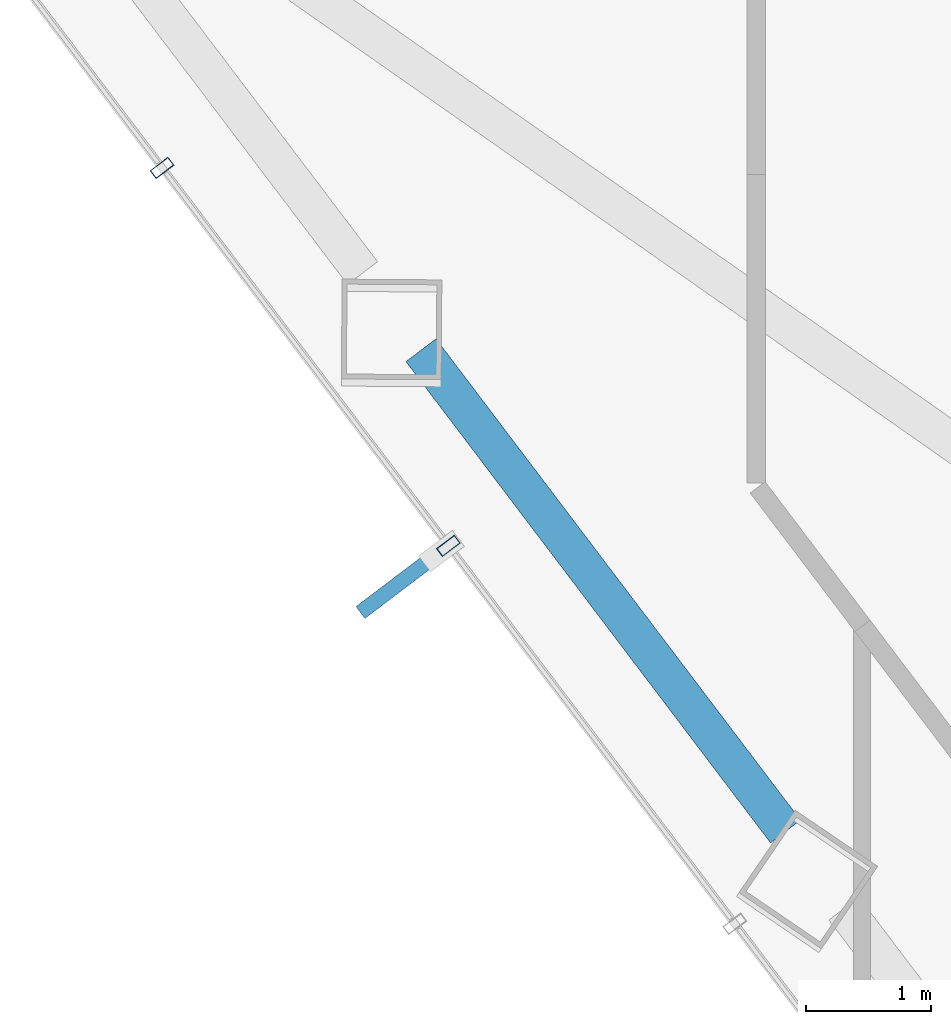
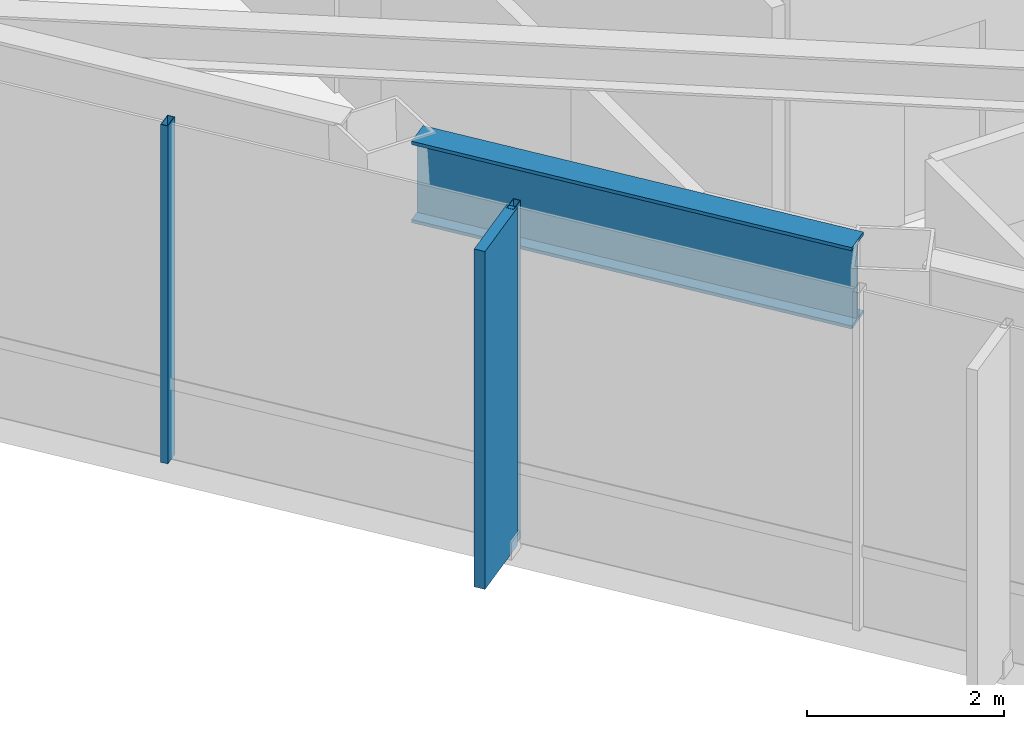
# One storey, part 4 of 25: 3 members, 1 beam, 1 element without a shape of its own.
"""IFC4 building model written with IfcOpenShell, lengths in metres."""

from ifc_helpers import new_model, si_unit, direction, frame, origin, origin_2d, place, context, subcontext, project, spatial, rectangle, hollow_rectangle, i_section, extrude, material, layer, layer_set, material_profile, profile_set, type_object, element, aggregate, save


model = new_model("IFC4")

# Units and contexts
model_context = context("Model", 3, precision=1e-05, world=origin(), true_north=direction((0.0, 1.0)))
body_context = subcontext(model_context, "Body", "Model", "MODEL_VIEW")
ifc_project = project(units=[si_unit("LENGTHUNIT", "METRE"), si_unit("AREAUNIT", "SQUARE_METRE"), si_unit("VOLUMEUNIT", "CUBIC_METRE"), si_unit("PLANEANGLEUNIT", "RADIAN"), si_unit("MASSUNIT", "GRAM", prefix="KILO")], contexts=[model_context])

# Site, building, storey
site_placement = place(None, origin())
site = spatial("IfcSite", under=ifc_project, at=site_placement, CompositionType="ELEMENT")
building_placement = place(site_placement, origin())
building = spatial("IfcBuilding", under=site, at=building_placement, Name="Zarrinselat Tower", CompositionType="ELEMENT")
storey_placement = place(building_placement, frame((0.0, 0.0, 119.0)))
storey = spatial("IfcBuildingStorey", under=building, at=storey_placement, Name="L28", CompositionType="ELEMENT", Elevation=119.0)

# Beam
ifc_material_1 = material(Name="Steel S460M", Category="steel")
ifc_material_profile_1 = material_profile(ifc_material_1, i_section(OverallWidth=0.302001953125, OverallDepth=1.008056640625, WebThickness=0.02099609375, FlangeThickness=0.0400390625, at=origin_2d()), Name="HEM 1000")
ifc_profile_set_1 = profile_set([ifc_material_profile_1], Name="Steel S460M")
beam_type = type_object("IfcBeamType", Name="BM-HEM1000", PredefinedType="BEAM", material=ifc_profile_set_1)
beam_placement = place(storey_placement, frame((19.9619140625, 31.841552734375, 3.676025390625), z_axis=(0.603841184863, -0.797104650258, 0.0), x_axis=(0.797104650258, 0.603841184863, 0.0)))
element("IfcBeam", 1, at=beam_placement, inside=storey, type_object=beam_type, Name="L28 Perimeter Spandrel Girder SP07", PredefinedType="BEAM", context=body_context, shape_type="SweptSolid", body=[
    extrude(i_section(OverallWidth=0.302001953125, OverallDepth=1.008056640625, WebThickness=0.02099609375, FlangeThickness=0.0400390625, at=origin_2d()), origin(), (0.0, 0.0, 1.0), 4.842041015625),
])

# Curtain wall, members
ifc_material_2 = material(Name="Extruded Aluminium Alloy EN AW-6063 T6", Category="aluminium")
ifc_layer = layer(ifc_material_2, 0.195068359375)
ifc_layer_set = layer_set([ifc_layer], Name="Extruded Aluminium Alloy EN AW-6063 T6")
curtain_wall_type = type_object("IfcCurtainWallType", Name="CWS-GDN", PredefinedType="NOTDEFINED", material=ifc_layer_set)
curtain_wall_placement = place(storey_placement, origin())
curtain_wall = element("IfcCurtainWall", 2, at=curtain_wall_placement, inside=storey, type_object=curtain_wall_type, Name="L28 Unitised Curtain Wall CW-L28-E02", PredefinedType="NOTDEFINED")
ifc_material_3 = material(Name="Extruded Aluminium Alloy EN AW-6063 T6", Category="aluminium")
ifc_material_profile_2 = material_profile(ifc_material_3, hollow_rectangle(XDim=0.080078125, YDim=0.179931640625, WallThickness=0.0048828125, at=origin_2d()), Name="RHS 180x80x5")
ifc_profile_set_2 = profile_set([ifc_material_profile_2], Name="Extruded Aluminium Alloy EN AW-6063 T6")
member_type_1 = type_object("IfcMemberType", Name="MEM-CW-MUL", PredefinedType="MULLION", material=ifc_profile_set_2)
member_1_placement = place(storey_placement, frame((20.181884765625, 30.2724609375, 0.0), z_axis=(0.0, 0.0, 1.0), x_axis=(-0.603858025511, 0.79709189246, 0.0)))
member_1 = element("IfcMember", 3, at=member_1_placement, type_object=member_type_1, Name="CW-L28-E02 Mullion 5", PredefinedType="MULLION", context=body_context, shape_type="SweptSolid", body=[
    extrude(hollow_rectangle(XDim=0.080078125, YDim=0.179931640625, WallThickness=0.0048828125, at=origin_2d()), origin(), (0.0, 0.0, 1.0), 4.179931640625),
])
member_2_placement = place(storey_placement, frame((17.885498046875, 33.3037109375, 0.0), z_axis=(0.0, 0.0, 1.0), x_axis=(-0.603858025511, 0.79709189246, 0.0)))
member_2 = element("IfcMember", 4, at=member_2_placement, type_object=member_type_1, Name="CW-L28-E02 Mullion 6", PredefinedType="MULLION", context=body_context, shape_type="SweptSolid", body=[
    extrude(hollow_rectangle(XDim=0.080078125, YDim=0.179931640625, WallThickness=0.0048828125, at=origin_2d()), origin(), (0.0, 0.0, 1.0), 4.179931640625),
])
ifc_material_4 = material(Name="Honed Cream Travertine Stone", Category="masonry")
ifc_material_profile_3 = material_profile(ifc_material_4, rectangle(XDim=0.1201171875, YDim=0.85009765625, at=origin_2d()), Name="FIN 850x120")
ifc_profile_set_3 = profile_set([ifc_material_profile_3], Name="Honed Cream Travertine Stone")
member_type_2 = type_object("IfcMemberType", Name="MEM-STONE-FIN", PredefinedType="USERDEFINED", material=ifc_profile_set_3)
member_3_placement = place(storey_placement, frame((19.815185546875, 29.99462890625, 0.0), z_axis=(0.0, 0.0, 1.0), x_axis=(-0.603858025511, 0.79709189246, 0.0)))
member_3 = element("IfcMember", 5, at=member_3_placement, type_object=member_type_2, Name="L28 Stone Shading Fin CW-L28-E02-05", ObjectType="FIN", PredefinedType="USERDEFINED", context=body_context, shape_type="SweptSolid", body=[
    extrude(rectangle(XDim=0.1201171875, YDim=0.85009765625, at=origin_2d()), origin(), (0.0, 0.0, 1.0), 4.179931640625),
])
aggregate(curtain_wall, [member_1, member_3, member_2])

save(model, "model.ifc")
